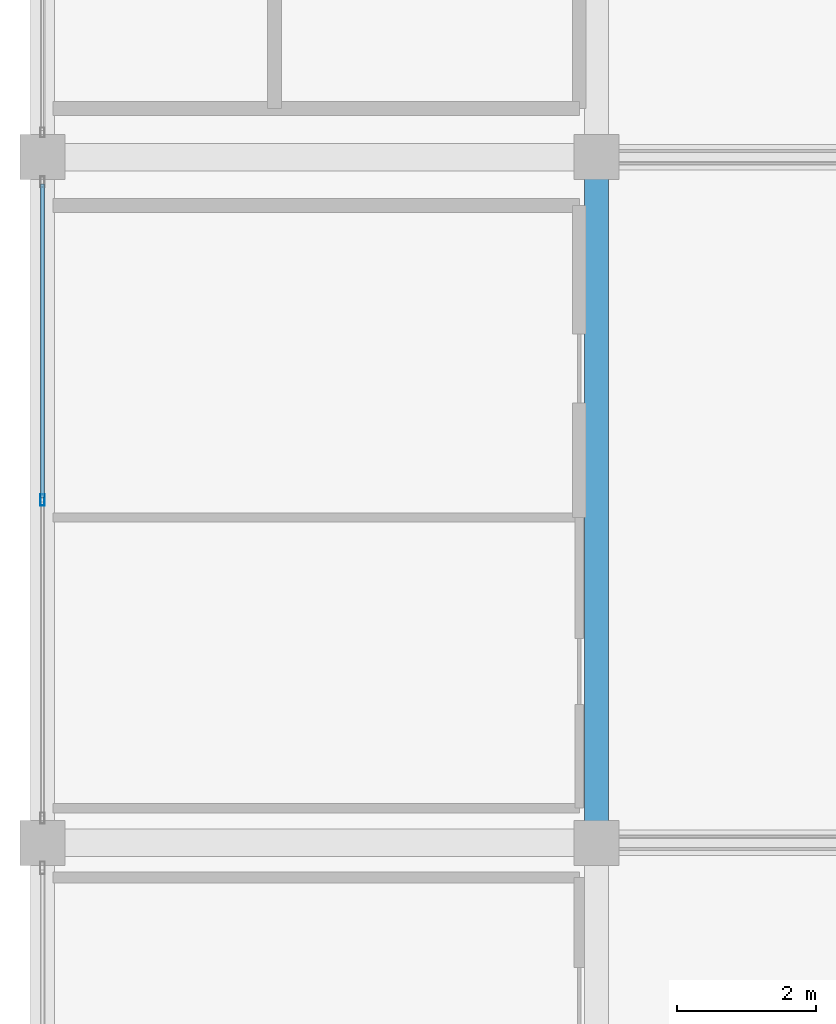
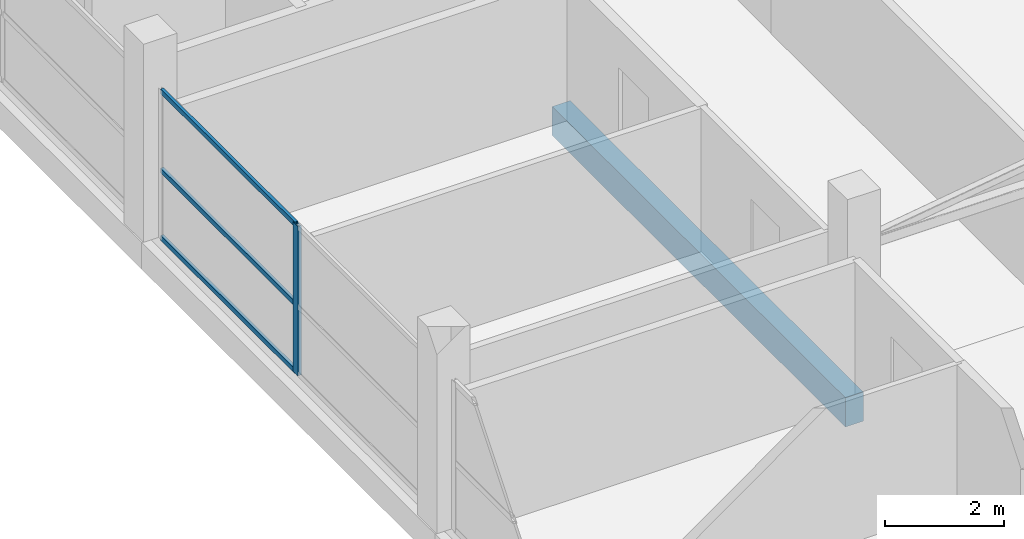
# One storey, part 20 of 53: 4 members, 1 beam, 1 element without a shape of its own.
"""IFC4 building model written with IfcOpenShell, lengths in metres."""

from ifc_helpers import new_model, si_unit, direction, frame, origin, origin_2d, place, context, subcontext, project, spatial, rectangle, hollow_rectangle, extrude, material, layer, layer_set, material_profile, profile_set, type_object, element, aggregate, save


model = new_model("IFC4")

# Units and contexts
model_context = context("Model", 3, precision=1e-05, world=origin(), true_north=direction((0.0, 1.0)))
body_context = subcontext(model_context, "Body", "Model", "MODEL_VIEW")
ifc_project = project(units=[si_unit("LENGTHUNIT", "METRE"), si_unit("AREAUNIT", "SQUARE_METRE"), si_unit("VOLUMEUNIT", "CUBIC_METRE"), si_unit("PLANEANGLEUNIT", "RADIAN"), si_unit("MASSUNIT", "GRAM", prefix="KILO")], contexts=[model_context])

# Site, building, storey
site_placement = place(None, origin())
site = spatial("IfcSite", under=ifc_project, at=site_placement, CompositionType="ELEMENT")
building_placement = place(site_placement, origin())
building = spatial("IfcBuilding", under=site, at=building_placement, Name="Sillaruma Civic Art Gallery", CompositionType="ELEMENT")
storey_placement = place(building_placement, frame((0.0, 0.0, 70.3798828125)))
storey = spatial("IfcBuildingStorey", under=building, at=storey_placement, Name="L14", CompositionType="ELEMENT", Elevation=70.3798828125)

# Beam
ifc_material_1 = material(Name="Concrete H35 (35 MPa)", Category="concrete")
ifc_material_profile_1 = material_profile(ifc_material_1, rectangle(XDim=0.35009765625, YDim=0.60009765625, at=origin_2d()), Name="RCB350x600")
ifc_profile_set_1 = profile_set([ifc_material_profile_1], Name="Concrete H35 (35 MPa)")
beam_type = type_object("IfcBeamType", Name="BM-BEAM-RCB350x600", PredefinedType="BEAM", material=ifc_profile_set_1)
beam_placement = place(storey_placement, frame((70.0, 59.39990234375, -0.5498046875), z_axis=(0.0, 1.0, 0.0), x_axis=(-1.0, 0.0, 0.0)))
element("IfcBeam", 1, at=beam_placement, inside=storey, type_object=beam_type, Name="Beam BM-06 (L13:G:7-8)", PredefinedType="BEAM", context=body_context, shape_type="SweptSolid", body=[
    extrude(rectangle(XDim=0.35009765625, YDim=0.60009765625, at=origin_2d()), origin(), (0.0, 0.0, 1.0), 9.900146484375),
])

# Curtain wall, members
ifc_material_2 = material(Name="Thermally Broken Extruded Aluminium 6063-T6", Category="aluminium")
ifc_layer = layer(ifc_material_2, 0.159912109375, Name="Thermally Broken Extruded Aluminium 6063-T6")
ifc_layer_set = layer_set([ifc_layer], Name="Thermally Broken Extruded Aluminium 6063-T6")
curtain_wall_type = type_object("IfcCurtainWallType", Name="CW-UNI-94", PredefinedType="NOTDEFINED", material=ifc_layer_set)
curtain_wall_placement = place(storey_placement, origin())
curtain_wall = element("IfcCurtainWall", 2, at=curtain_wall_placement, inside=storey, type_object=curtain_wall_type, Name="Unitised Curtain Wall CW-94 (CW-L14-WBW-5)", PredefinedType="NOTDEFINED")
ifc_material_profile_2 = material_profile(ifc_material_2, hollow_rectangle(XDim=0.06494140625, YDim=0.159912109375, WallThickness=0.00390625, at=origin_2d()), Name="CWM65x160")
ifc_profile_set_2 = profile_set([ifc_material_profile_2], Name="Thermally Broken Extruded Aluminium 6063-T6")
member_type_1 = type_object("IfcMemberType", Name="MEM-MUL-CWM65x160", PredefinedType="MULLION", material=ifc_profile_set_2)
member_1_placement = place(storey_placement, frame((62.0, 64.35009765625, 0.0), z_axis=(0.0, 0.0, 1.0), x_axis=(-1.0, 0.0, 0.0)))
member_1 = element("IfcMember", 3, at=member_1_placement, type_object=member_type_1, Name="CW-94 mullion 2", PredefinedType="MULLION", context=body_context, shape_type="SweptSolid", body=[
    extrude(hollow_rectangle(XDim=0.06494140625, YDim=0.159912109375, WallThickness=0.00390625, at=origin_2d()), origin(), (0.0, 0.0, 1.0), 3.080078125),
])
ifc_material_profile_3 = material_profile(ifc_material_2, hollow_rectangle(XDim=0.06005859375, YDim=0.10009765625, WallThickness=0.003173828125, at=origin_2d()), Name="CWT60x100")
ifc_profile_set_3 = profile_set([ifc_material_profile_3], Name="Thermally Broken Extruded Aluminium 6063-T6")
member_type_2 = type_object("IfcMemberType", Name="MEM-TRN-CWT60x100", PredefinedType="USERDEFINED", material=ifc_profile_set_3)
member_2_placement = place(storey_placement, frame((62.0, 64.382568359375, 0.030029296875), z_axis=(0.0, 1.0, 0.0), x_axis=(-1.0, 0.0, 0.0)))
member_2 = element("IfcMember", 4, at=member_2_placement, type_object=member_type_2, Name="CW-94 transom 2.1", ObjectType="TRANSOM", PredefinedType="USERDEFINED", context=body_context, shape_type="SweptSolid", body=[
    extrude(hollow_rectangle(XDim=0.06005859375, YDim=0.10009765625, WallThickness=0.003173828125, at=origin_2d()), origin(), (0.0, 0.0, 1.0), 4.52734375),
])
member_3_placement = place(storey_placement, frame((62.0, 64.382568359375, 1.4169921875), z_axis=(0.0, 1.0, 0.0), x_axis=(-1.0, 0.0, 0.0)))
member_3 = element("IfcMember", 5, at=member_3_placement, type_object=member_type_2, Name="CW-94 transom 2.2", ObjectType="TRANSOM", PredefinedType="USERDEFINED", context=body_context, shape_type="SweptSolid", body=[
    extrude(hollow_rectangle(XDim=0.06005859375, YDim=0.10009765625, WallThickness=0.003173828125, at=origin_2d()), origin(), (0.0, 0.0, 1.0), 4.52734375),
])
member_4_placement = place(storey_placement, frame((62.0, 64.382568359375, 3.050048828125), z_axis=(0.0, 1.0, 0.0), x_axis=(-1.0, 0.0, 0.0)))
member_4 = element("IfcMember", 6, at=member_4_placement, type_object=member_type_2, Name="CW-94 transom 2.3", ObjectType="TRANSOM", PredefinedType="USERDEFINED", context=body_context, shape_type="SweptSolid", body=[
    extrude(hollow_rectangle(XDim=0.06005859375, YDim=0.10009765625, WallThickness=0.003173828125, at=origin_2d()), origin(), (0.0, 0.0, 1.0), 4.52734375),
])
aggregate(curtain_wall, [member_1, member_2, member_3, member_4])

save(model, "model.ifc")
